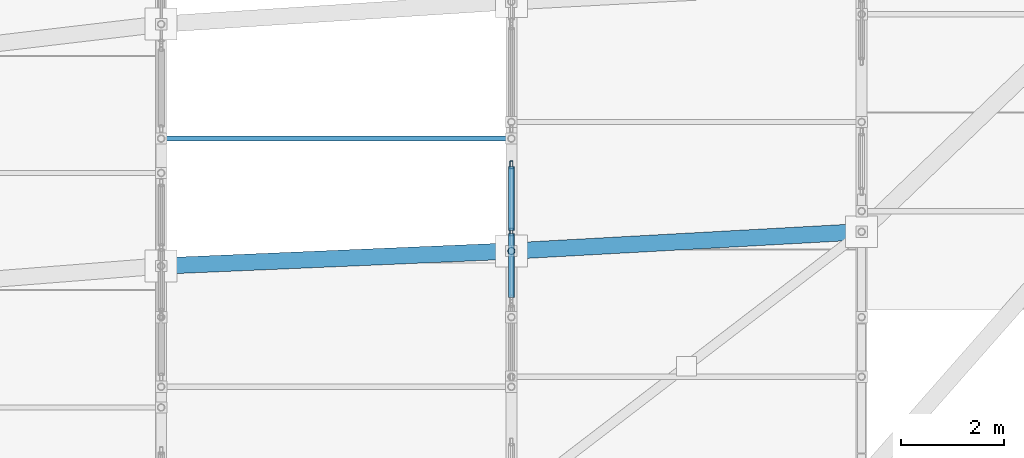
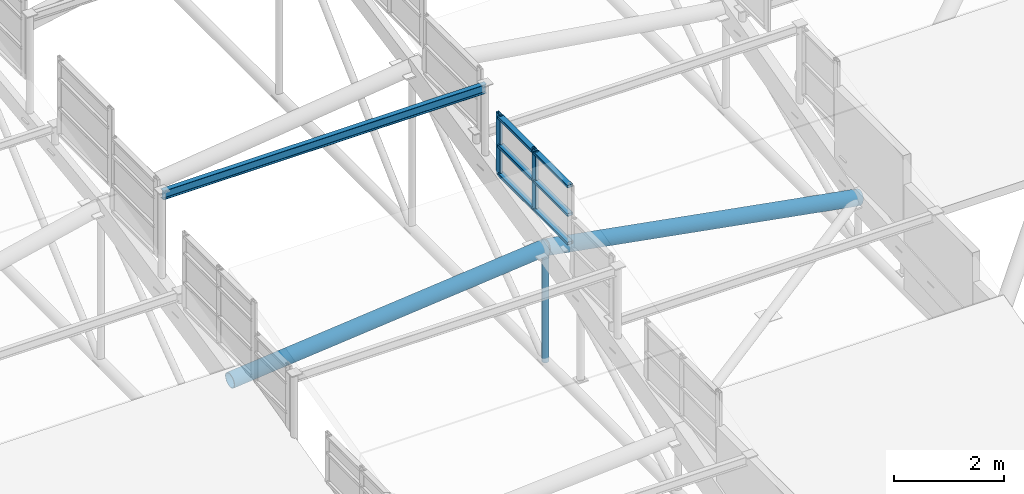
# One storey, part 74 of 188: 12 members, 1 element without a shape of its own.
"""IFC4 building model written with IfcOpenShell, lengths in metres."""

from ifc_helpers import new_model, si_unit, direction, frame, origin, origin_2d, place, context, subcontext, project, spatial, hollow_rectangle, hollow_circle, i_section, extrude, material, layer, layer_set, material_profile, profile_set, type_object, element, aggregate, save


model = new_model("IFC4")

# Units and contexts
model_context = context("Model", 3, precision=1e-05, world=origin(), true_north=direction((0.0, 1.0)))
body_context = subcontext(model_context, "Body", "Model", "MODEL_VIEW")
ifc_project = project(units=[si_unit("LENGTHUNIT", "METRE"), si_unit("AREAUNIT", "SQUARE_METRE"), si_unit("VOLUMEUNIT", "CUBIC_METRE"), si_unit("PLANEANGLEUNIT", "RADIAN"), si_unit("MASSUNIT", "GRAM", prefix="KILO")], contexts=[model_context])

# Site, building, storey
site_placement = place(None, origin())
site = spatial("IfcSite", under=ifc_project, at=site_placement, CompositionType="ELEMENT")
building_placement = place(site_placement, origin())
building = spatial("IfcBuilding", under=site, at=building_placement, Name="Kisaragi Civic Commons", CompositionType="ELEMENT")
storey_placement = place(building_placement, frame((0.0, 0.0, 9.60009765625)))
storey = spatial("IfcBuildingStorey", under=building, at=storey_placement, Name="L02", CompositionType="ELEMENT", Elevation=9.60009765625)

# Curtain wall, members
ifc_material_1 = material(Name="Thermally broken anodized aluminium and low-E double glazing", Category="aluminium")
ifc_layer = layer(ifc_material_1, 0.14990234375, Name="Thermally broken anodized aluminium and low-E double glazing", Category="aluminium")
ifc_layer_set = layer_set([ifc_layer], Name="Thermally broken anodized aluminium and low-E double glazing")
curtain_wall_type = type_object("IfcCurtainWallType", Name="CW-03", PredefinedType="NOTDEFINED", material=ifc_layer_set)
curtain_wall_placement = place(storey_placement, origin())
curtain_wall = element("IfcCurtainWall", 1, at=curtain_wall_placement, inside=storey, type_object=curtain_wall_type, Name="L02 curtain wall CW-03 CW-CL-V2-195", PredefinedType="NOTDEFINED")
ifc_material_profile_1 = material_profile(ifc_material_1, hollow_rectangle(XDim=0.06005859375, YDim=0.14990234375, WallThickness=0.00390625, InnerFilletRadius=0.00390625, OuterFilletRadius=0.008056640625, at=origin_2d()), Name="CWM-60x150x4", Category="aluminium")
ifc_profile_set_1 = profile_set([ifc_material_profile_1], Name="Thermally broken anodized aluminium and low-E double glazing")
member_type_1 = type_object("IfcMemberType", Name="CWM-01", PredefinedType="MULLION", material=ifc_profile_set_1)
member_1_placement = place(storey_placement, frame((20.39990234375, 89.253662109375, 2.72265625), z_axis=(0.0, 0.0, 1.0), x_axis=(-1.0, 0.0, 0.0)))
member_1 = element("IfcMember", 2, at=member_1_placement, type_object=member_type_1, Name="CW-03 mullion 2", PredefinedType="MULLION", context=body_context, shape_type="SweptSolid", body=[
    extrude(hollow_rectangle(XDim=0.06005859375, YDim=0.14990234375, WallThickness=0.00390625, InnerFilletRadius=0.00390625, OuterFilletRadius=0.008056640625, at=origin_2d()), origin(), (0.0, 0.0, 1.0), 1.38525390625),
])
member_2_placement = place(storey_placement, frame((20.39990234375, 90.557861328125, 2.72265625), z_axis=(0.0, 0.0, 1.0), x_axis=(-1.0, 0.0, 0.0)))
member_2 = element("IfcMember", 3, at=member_2_placement, type_object=member_type_1, Name="CW-03 mullion 3", PredefinedType="MULLION", context=body_context, shape_type="SweptSolid", body=[
    extrude(hollow_rectangle(XDim=0.06005859375, YDim=0.14990234375, WallThickness=0.00390625, InnerFilletRadius=0.00390625, OuterFilletRadius=0.008056640625, at=origin_2d()), origin(), (0.0, 0.0, 1.0), 1.38525390625),
])
ifc_material_profile_2 = material_profile(ifc_material_1, hollow_rectangle(XDim=0.1201171875, YDim=0.06005859375, WallThickness=0.00390625, InnerFilletRadius=0.00390625, OuterFilletRadius=0.008056640625, at=origin_2d()), Name="CWT-60x120x4", Category="aluminium")
ifc_profile_set_2 = profile_set([ifc_material_profile_2], Name="Thermally broken anodized aluminium and low-E double glazing")
member_type_2 = type_object("IfcMemberType", Name="CWT-01", PredefinedType="USERDEFINED", material=ifc_profile_set_2)
member_3_placement = place(storey_placement, frame((20.39990234375, 87.9794921875, 2.78271484375), z_axis=(0.0, 1.0, 0.0), x_axis=(-1.0, 0.0, 0.0)))
member_3 = element("IfcMember", 4, at=member_3_placement, type_object=member_type_2, Name="CW-03 transom 1.1", ObjectType="TRANSOM", PredefinedType="USERDEFINED", context=body_context, shape_type="SweptSolid", body=[
    extrude(hollow_rectangle(XDim=0.1201171875, YDim=0.06005859375, WallThickness=0.00390625, InnerFilletRadius=0.00390625, OuterFilletRadius=0.008056640625, at=origin_2d()), origin(), (0.0, 0.0, 1.0), 1.244140625),
])
member_4_placement = place(storey_placement, frame((20.39990234375, 87.9794921875, 3.415283203125), z_axis=(0.0, 1.0, 0.0), x_axis=(-1.0, 0.0, 0.0)))
member_4 = element("IfcMember", 5, at=member_4_placement, type_object=member_type_2, Name="CW-03 transom 1.2", ObjectType="TRANSOM", PredefinedType="USERDEFINED", context=body_context, shape_type="SweptSolid", body=[
    extrude(hollow_rectangle(XDim=0.1201171875, YDim=0.06005859375, WallThickness=0.00390625, InnerFilletRadius=0.00390625, OuterFilletRadius=0.008056640625, at=origin_2d()), origin(), (0.0, 0.0, 1.0), 1.244140625),
])
member_5_placement = place(storey_placement, frame((20.39990234375, 87.9794921875, 4.048095703125), z_axis=(0.0, 1.0, 0.0), x_axis=(-1.0, 0.0, 0.0)))
member_5 = element("IfcMember", 6, at=member_5_placement, type_object=member_type_2, Name="CW-03 transom 1.3", ObjectType="TRANSOM", PredefinedType="USERDEFINED", context=body_context, shape_type="SweptSolid", body=[
    extrude(hollow_rectangle(XDim=0.1201171875, YDim=0.06005859375, WallThickness=0.00390625, InnerFilletRadius=0.00390625, OuterFilletRadius=0.008056640625, at=origin_2d()), origin(), (0.0, 0.0, 1.0), 1.244140625),
])
member_6_placement = place(storey_placement, frame((20.39990234375, 89.28369140625, 2.78271484375), z_axis=(0.0, 1.0, 0.0), x_axis=(-1.0, 0.0, 0.0)))
member_6 = element("IfcMember", 7, at=member_6_placement, type_object=member_type_2, Name="CW-03 transom 2.1", ObjectType="TRANSOM", PredefinedType="USERDEFINED", context=body_context, shape_type="SweptSolid", body=[
    extrude(hollow_rectangle(XDim=0.1201171875, YDim=0.06005859375, WallThickness=0.00390625, InnerFilletRadius=0.00390625, OuterFilletRadius=0.008056640625, at=origin_2d()), origin(), (0.0, 0.0, 1.0), 1.244140625),
])
member_7_placement = place(storey_placement, frame((20.39990234375, 89.28369140625, 3.415283203125), z_axis=(0.0, 1.0, 0.0), x_axis=(-1.0, 0.0, 0.0)))
member_7 = element("IfcMember", 8, at=member_7_placement, type_object=member_type_2, Name="CW-03 transom 2.2", ObjectType="TRANSOM", PredefinedType="USERDEFINED", context=body_context, shape_type="SweptSolid", body=[
    extrude(hollow_rectangle(XDim=0.1201171875, YDim=0.06005859375, WallThickness=0.00390625, InnerFilletRadius=0.00390625, OuterFilletRadius=0.008056640625, at=origin_2d()), origin(), (0.0, 0.0, 1.0), 1.244140625),
])
member_8_placement = place(storey_placement, frame((20.39990234375, 89.28369140625, 4.048095703125), z_axis=(0.0, 1.0, 0.0), x_axis=(-1.0, 0.0, 0.0)))
member_8 = element("IfcMember", 9, at=member_8_placement, type_object=member_type_2, Name="CW-03 transom 2.3", ObjectType="TRANSOM", PredefinedType="USERDEFINED", context=body_context, shape_type="SweptSolid", body=[
    extrude(hollow_rectangle(XDim=0.1201171875, YDim=0.06005859375, WallThickness=0.00390625, InnerFilletRadius=0.00390625, OuterFilletRadius=0.008056640625, at=origin_2d()), origin(), (0.0, 0.0, 1.0), 1.244140625),
])
aggregate(curtain_wall, [member_1, member_2, member_3, member_4, member_5, member_6, member_7, member_8])

# Members
ifc_material_2 = material(Name="Steel SN490 (SN490B)", Category="steel")
ifc_material_profile_3 = material_profile(ifc_material_2, hollow_circle(Radius=0.1591796875, WallThickness=0.01025390625, at=origin_2d()), Name="CHS-318.5x10.3", Category="steel")
ifc_profile_set_3 = profile_set([ifc_material_profile_3], Name="Steel SN490 (SN490B)")
member_type_3 = type_object("IfcMemberType", Name="GC-03", PredefinedType="CHORD", material=ifc_profile_set_3)
member_9_placement = place(storey_placement, frame((13.60009765625, 88.592529296875, 1.7353515625), z_axis=(0.99734215122, 0.042683895026, 0.059048442028), x_axis=(-0.04275850355, 0.999085436974, 0.0)))
element("IfcMember", 10, at=member_9_placement, inside=storey, type_object=member_type_3, Name="V2 wave gridshell chord GC-03 16", PredefinedType="CHORD", context=body_context, shape_type="SweptSolid", body=[
    extrude(hollow_circle(Radius=0.1591796875, WallThickness=0.01025390625, at=origin_2d()), origin(), (0.0, 0.0, 1.0), 6.81787109375),
])
member_10_placement = place(storey_placement, frame((20.39990234375, 88.883544921875, 2.137939453125), z_axis=(0.97520290156, 0.053709160629, -0.214696592553), x_axis=(-0.054991519199, 0.998486821554, 0.0)))
element("IfcMember", 11, at=member_10_placement, inside=storey, type_object=member_type_3, Name="V2 wave gridshell chord GC-03 23", PredefinedType="CHORD", context=body_context, shape_type="SweptSolid", body=[
    extrude(hollow_circle(Radius=0.1591796875, WallThickness=0.01025390625, at=origin_2d()), origin(), (0.0, 0.0, 1.0), 6.972900390625),
])
ifc_material_3 = material(Name="Steel SN400 (SN400B)", Category="steel")
ifc_material_profile_4 = material_profile(ifc_material_3, i_section(OverallWidth=0.10009765625, OverallDepth=0.199951171875, WebThickness=0.005615234375, FlangeThickness=0.008056640625, FilletRadius=0.008056640625, at=origin_2d()), Name="H-200x100x5.5x8", Category="steel")
ifc_profile_set_4 = profile_set([ifc_material_profile_4], Name="Steel SN400 (SN400B)")
member_type_4 = type_object("IfcMemberType", Name="PR-02", PredefinedType="PURLIN", material=ifc_profile_set_4)
member_11_placement = place(storey_placement, frame((13.60009765625, 91.06689453125, 4.3701171875), z_axis=(1.0, 0.0, 0.0), x_axis=(0.0, 1.0, 0.0)))
element("IfcMember", 12, at=member_11_placement, inside=storey, type_object=member_type_4, Name="V2 wave vault steel purlin 19", PredefinedType="PURLIN", context=body_context, shape_type="SweptSolid", body=[
    extrude(i_section(OverallWidth=0.10009765625, OverallDepth=0.199951171875, WebThickness=0.005615234375, FlangeThickness=0.008056640625, FilletRadius=0.008056640625, at=origin_2d()), origin(), (0.0, 0.0, 1.0), 6.7998046875),
])
ifc_material_profile_5 = material_profile(ifc_material_2, hollow_circle(Radius=0.06982421875, WallThickness=0.006103515625, at=origin_2d()), Name="CHS-139.8x6.0", Category="steel")
ifc_profile_set_5 = profile_set([ifc_material_profile_5], Name="Steel SN490 (SN490B)")
member_type_5 = type_object("IfcMemberType", Name="ST-H1", PredefinedType="STRUT", material=ifc_profile_set_5)
member_12_placement = place(storey_placement, frame((20.39990234375, 88.883544921875, -0.385009765625), z_axis=(0.0, 0.0, 1.0), x_axis=(1.0, 0.0, 0.0)))
element("IfcMember", 13, at=member_12_placement, inside=storey, type_object=member_type_5, Name="V2 arch tie hanger strut 46", PredefinedType="STRUT", context=body_context, shape_type="SweptSolid", body=[
    extrude(hollow_circle(Radius=0.06982421875, WallThickness=0.006103515625, at=origin_2d()), origin(), (0.0, 0.0, 1.0), 2.52294921875),
])

save(model, "model.ifc")
